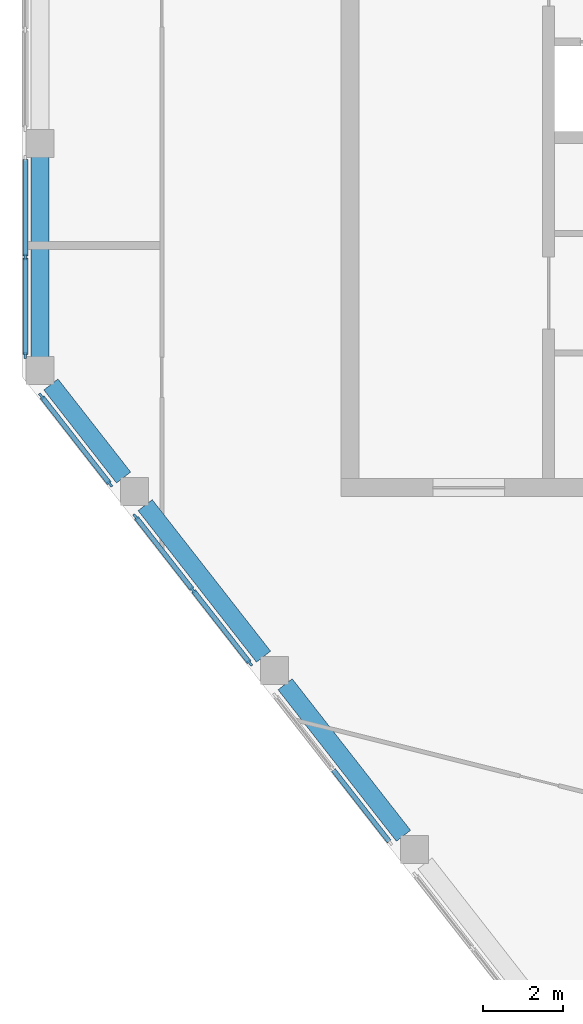
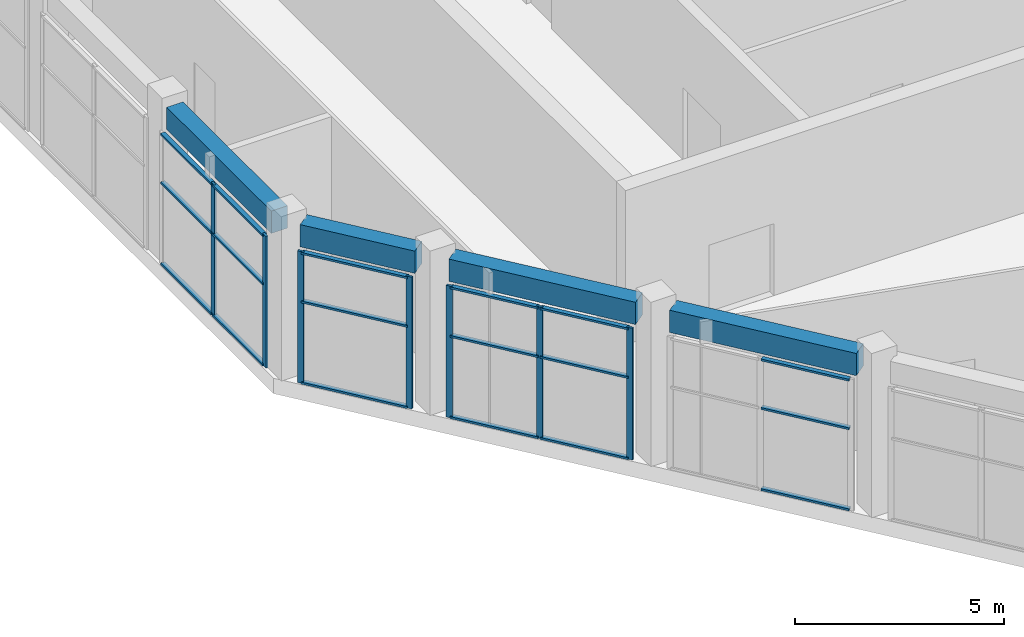
# One storey, part 3 of 10: 25 members, 4 beams, 4 elements without a shape of their own.
"""IFC4 building model written with IfcOpenShell, lengths in metres."""

from ifc_helpers import new_model, si_unit, direction, frame, origin, origin_2d, place, context, subcontext, project, spatial, rectangle, extrude, material, material_profile, profile_set, type_object, element, aggregate, save


model = new_model("IFC4")

# Units and contexts
model_context = context("Model", 3, precision=1e-05, world=origin(), true_north=direction((0.0, 1.0)))
body_context = subcontext(model_context, "Body", "Model", "MODEL_VIEW")
ifc_project = project(units=[si_unit("LENGTHUNIT", "METRE"), si_unit("AREAUNIT", "SQUARE_METRE"), si_unit("VOLUMEUNIT", "CUBIC_METRE"), si_unit("PLANEANGLEUNIT", "RADIAN"), si_unit("MASSUNIT", "GRAM", prefix="KILO")], contexts=[model_context])

# Site, building, storey
site_placement = place(None, origin())
site = spatial("IfcSite", under=ifc_project, at=site_placement, CompositionType="ELEMENT")
building_placement = place(site_placement, origin())
building = spatial("IfcBuilding", under=site, at=building_placement, Name="Meshkara Civic Tower", CompositionType="ELEMENT")
storey_placement = place(building_placement, frame((0.0, 0.0, 419.39990234375)))
storey = spatial("IfcBuildingStorey", under=building, at=storey_placement, Name="L96 Crown", CompositionType="ELEMENT", Elevation=419.39990234375)

# Curtain wall, members
ifc_material_1 = material(Name="Tinted double glazing", Category="glass")
curtain_wall_type = type_object("IfcCurtainWallType", Name="CW CROWN LANTERN", PredefinedType="NOTDEFINED", material=ifc_material_1)
curtain_wall_1_placement = place(storey_placement, origin())
curtain_wall_1 = element("IfcCurtainWall", 1, at=curtain_wall_1_placement, inside=storey, type_object=curtain_wall_type, Name="Curtain wall CW3", PredefinedType="NOTDEFINED")
ifc_material_2 = material(Name="Bronze anodised aluminium", Category="aluminium")
ifc_material_profile_1 = material_profile(ifc_material_2, rectangle(XDim=0.06005859375, YDim=0.159912109375, at=origin_2d()))
ifc_profile_set_1 = profile_set([ifc_material_profile_1], Name="Bronze anodised aluminium")
member_type_1 = type_object("IfcMemberType", Name="CW MULLION 60x160", PredefinedType="MULLION", material=ifc_profile_set_1)
member_1_placement = place(storey_placement, frame((0.080078125, 20.10498046875, 0.0), z_axis=(0.0, 0.0, 1.0), x_axis=(1.0, 0.0, 0.0)))
member_1 = element("IfcMember", 2, at=member_1_placement, type_object=member_type_1, Name="CW3 mullion 2", PredefinedType="MULLION", context=body_context, shape_type="SweptSolid", body=[
    extrude(rectangle(XDim=0.06005859375, YDim=0.159912109375, at=origin_2d()), origin(), (0.0, 0.0, 1.0), 3.85009765625),
])
member_2_placement = place(storey_placement, frame((0.080078125, 17.635009765625, 0.0), z_axis=(0.0, 0.0, 1.0), x_axis=(1.0, 0.0, 0.0)))
member_2 = element("IfcMember", 3, at=member_2_placement, type_object=member_type_1, Name="CW3 mullion 3", PredefinedType="MULLION", context=body_context, shape_type="SweptSolid", body=[
    extrude(rectangle(XDim=0.06005859375, YDim=0.159912109375, at=origin_2d()), origin(), (0.0, 0.0, 1.0), 3.85009765625),
])

curtain_wall_2_placement = place(storey_placement, origin())
curtain_wall_2 = element("IfcCurtainWall", 4, at=curtain_wall_2_placement, inside=storey, type_object=curtain_wall_type, Name="Curtain wall CW3", PredefinedType="NOTDEFINED")
member_3_placement = place(storey_placement, frame((0.4794921875, 16.616455078125, 0.0), z_axis=(0.0, 0.0, 1.0), x_axis=(0.78808803542, 0.615562546316, 0.0)))
member_3 = element("IfcMember", 5, at=member_3_placement, type_object=member_type_1, Name="CW3 mullion 1", PredefinedType="MULLION", context=body_context, shape_type="SweptSolid", body=[
    extrude(rectangle(XDim=0.06005859375, YDim=0.159912109375, at=origin_2d()), origin(), (0.0, 0.0, 1.0), 3.85009765625),
])
member_4_placement = place(storey_placement, frame((2.201416015625, 14.41162109375, 0.0), z_axis=(0.0, 0.0, 1.0), x_axis=(0.78808803542, 0.615562546316, 0.0)))
member_4 = element("IfcMember", 6, at=member_4_placement, type_object=member_type_1, Name="CW3 mullion 2", PredefinedType="MULLION", context=body_context, shape_type="SweptSolid", body=[
    extrude(rectangle(XDim=0.06005859375, YDim=0.159912109375, at=origin_2d()), origin(), (0.0, 0.0, 1.0), 3.85009765625),
])

curtain_wall_3_placement = place(storey_placement, origin())
curtain_wall_3 = element("IfcCurtainWall", 7, at=curtain_wall_3_placement, inside=storey, type_object=curtain_wall_type, Name="Curtain wall CW3", PredefinedType="NOTDEFINED")
member_5_placement = place(storey_placement, frame((2.843505859375, 13.59033203125, 0.0), z_axis=(0.0, 0.0, 1.0), x_axis=(0.788014731293, 0.615656384086, 0.0)))
member_5 = element("IfcMember", 8, at=member_5_placement, type_object=member_type_1, Name="CW3 mullion 1", PredefinedType="MULLION", context=body_context, shape_type="SweptSolid", body=[
    extrude(rectangle(XDim=0.06005859375, YDim=0.159912109375, at=origin_2d()), origin(), (0.0, 0.0, 1.0), 3.85009765625),
])
member_6_placement = place(storey_placement, frame((4.277099609375, 11.755615234375, 0.0), z_axis=(0.0, 0.0, 1.0), x_axis=(0.788014731293, 0.615656384086, 0.0)))
member_6 = element("IfcMember", 9, at=member_6_placement, type_object=member_type_1, Name="CW3 mullion 2", PredefinedType="MULLION", context=body_context, shape_type="SweptSolid", body=[
    extrude(rectangle(XDim=0.06005859375, YDim=0.159912109375, at=origin_2d()), origin(), (0.0, 0.0, 1.0), 3.85009765625),
])
member_7_placement = place(storey_placement, frame((5.71044921875, 9.920654296875, 0.0), z_axis=(0.0, 0.0, 1.0), x_axis=(0.788014731293, 0.615656384086, 0.0)))
member_7 = element("IfcMember", 10, at=member_7_placement, type_object=member_type_1, Name="CW3 mullion 3", PredefinedType="MULLION", context=body_context, shape_type="SweptSolid", body=[
    extrude(rectangle(XDim=0.06005859375, YDim=0.159912109375, at=origin_2d()), origin(), (0.0, 0.0, 1.0), 3.85009765625),
])

# Member
ifc_material_3 = material(Name="Bronze anodised aluminium", Category="aluminium")
ifc_material_profile_2 = material_profile(ifc_material_3, rectangle(XDim=0.1201171875, YDim=0.06005859375, at=origin_2d()))
ifc_profile_set_2 = profile_set([ifc_material_profile_2], Name="Bronze anodised aluminium")
member_type_2 = type_object("IfcMemberType", Name="CW TRANSOM 60x120", PredefinedType="USERDEFINED", material=ifc_profile_set_2)
member_8_placement = place(storey_placement, frame((0.080078125, 22.544921875, 0.030029296875), z_axis=(0.0, -1.0, 0.0), x_axis=(1.0, 0.0, 0.0)))
member_8 = element("IfcMember", 11, at=member_8_placement, type_object=member_type_2, Name="CW3 transom 1.1", ObjectType="TRANSOM", PredefinedType="USERDEFINED", context=body_context, shape_type="SweptSolid", body=[
    extrude(rectangle(XDim=0.1201171875, YDim=0.06005859375, at=origin_2d()), origin(), (0.0, 0.0, 1.0), 2.409912109375),
])

member_9_placement = place(storey_placement, frame((0.080078125, 22.544921875, 2.400146484375), z_axis=(0.0, -1.0, 0.0), x_axis=(1.0, 0.0, 0.0)))
member_9 = element("IfcMember", 12, at=member_9_placement, type_object=member_type_2, Name="CW3 transom 1.2", ObjectType="TRANSOM", PredefinedType="USERDEFINED", context=body_context, shape_type="SweptSolid", body=[
    extrude(rectangle(XDim=0.1201171875, YDim=0.06005859375, at=origin_2d()), origin(), (0.0, 0.0, 1.0), 2.409912109375),
])

member_10_placement = place(storey_placement, frame((0.080078125, 22.544921875, 3.820068359375), z_axis=(0.0, -1.0, 0.0), x_axis=(1.0, 0.0, 0.0)))
member_10 = element("IfcMember", 13, at=member_10_placement, type_object=member_type_2, Name="CW3 transom 1.3", ObjectType="TRANSOM", PredefinedType="USERDEFINED", context=body_context, shape_type="SweptSolid", body=[
    extrude(rectangle(XDim=0.1201171875, YDim=0.06005859375, at=origin_2d()), origin(), (0.0, 0.0, 1.0), 2.409912109375),
])

member_11_placement = place(storey_placement, frame((0.080078125, 20.074951171875, 0.030029296875), z_axis=(0.0, -1.0, 0.0), x_axis=(1.0, 0.0, 0.0)))
member_11 = element("IfcMember", 14, at=member_11_placement, type_object=member_type_2, Name="CW3 transom 2.1", ObjectType="TRANSOM", PredefinedType="USERDEFINED", context=body_context, shape_type="SweptSolid", body=[
    extrude(rectangle(XDim=0.1201171875, YDim=0.06005859375, at=origin_2d()), origin(), (0.0, 0.0, 1.0), 2.409912109375),
])

member_12_placement = place(storey_placement, frame((0.080078125, 20.074951171875, 2.400146484375), z_axis=(0.0, -1.0, 0.0), x_axis=(1.0, 0.0, 0.0)))
member_12 = element("IfcMember", 15, at=member_12_placement, type_object=member_type_2, Name="CW3 transom 2.2", ObjectType="TRANSOM", PredefinedType="USERDEFINED", context=body_context, shape_type="SweptSolid", body=[
    extrude(rectangle(XDim=0.1201171875, YDim=0.06005859375, at=origin_2d()), origin(), (0.0, 0.0, 1.0), 2.409912109375),
])

member_13_placement = place(storey_placement, frame((0.080078125, 20.074951171875, 3.820068359375), z_axis=(0.0, -1.0, 0.0), x_axis=(1.0, 0.0, 0.0)))
member_13 = element("IfcMember", 16, at=member_13_placement, type_object=member_type_2, Name="CW3 transom 2.3", ObjectType="TRANSOM", PredefinedType="USERDEFINED", context=body_context, shape_type="SweptSolid", body=[
    extrude(rectangle(XDim=0.1201171875, YDim=0.06005859375, at=origin_2d()), origin(), (0.0, 0.0, 1.0), 2.409912109375),
])

aggregate(curtain_wall_1, [member_1, member_2, member_8, member_9, member_10, member_11, member_12, member_13])

member_14_placement = place(storey_placement, frame((0.498046875, 16.5927734375, 0.030029296875), z_axis=(0.61553846672, -0.788106843003, 0.0), x_axis=(0.788106843003, 0.61553846672, 0.0)))
member_14 = element("IfcMember", 17, at=member_14_placement, type_object=member_type_2, Name="CW3 transom 1.1", ObjectType="TRANSOM", PredefinedType="USERDEFINED", context=body_context, shape_type="SweptSolid", body=[
    extrude(rectangle(XDim=0.1201171875, YDim=0.06005859375, at=origin_2d()), origin(), (0.0, 0.0, 1.0), 2.737548828125),
])

member_15_placement = place(storey_placement, frame((0.498046875, 16.5927734375, 2.400146484375), z_axis=(0.61553846672, -0.788106843003, 0.0), x_axis=(0.788106843003, 0.61553846672, 0.0)))
member_15 = element("IfcMember", 18, at=member_15_placement, type_object=member_type_2, Name="CW3 transom 1.2", ObjectType="TRANSOM", PredefinedType="USERDEFINED", context=body_context, shape_type="SweptSolid", body=[
    extrude(rectangle(XDim=0.1201171875, YDim=0.06005859375, at=origin_2d()), origin(), (0.0, 0.0, 1.0), 2.737548828125),
])

member_16_placement = place(storey_placement, frame((0.498046875, 16.5927734375, 3.820068359375), z_axis=(0.61553846672, -0.788106843003, 0.0), x_axis=(0.788106843003, 0.61553846672, 0.0)))
member_16 = element("IfcMember", 19, at=member_16_placement, type_object=member_type_2, Name="CW3 transom 1.3", ObjectType="TRANSOM", PredefinedType="USERDEFINED", context=body_context, shape_type="SweptSolid", body=[
    extrude(rectangle(XDim=0.1201171875, YDim=0.06005859375, at=origin_2d()), origin(), (0.0, 0.0, 1.0), 2.737548828125),
])

aggregate(curtain_wall_2, [member_3, member_4, member_14, member_15, member_16])

member_17_placement = place(storey_placement, frame((2.862060546875, 13.566650390625, 0.030029296875), z_axis=(0.615623156094, -0.788040690371, 0.0), x_axis=(0.788040690371, 0.615623156094, 0.0)))
member_17 = element("IfcMember", 20, at=member_17_placement, type_object=member_type_2, Name="CW3 transom 1.1", ObjectType="TRANSOM", PredefinedType="USERDEFINED", context=body_context, shape_type="SweptSolid", body=[
    extrude(rectangle(XDim=0.1201171875, YDim=0.06005859375, at=origin_2d()), origin(), (0.0, 0.0, 1.0), 2.268310546875),
])

member_18_placement = place(storey_placement, frame((2.862060546875, 13.566650390625, 2.400146484375), z_axis=(0.615623156094, -0.788040690371, 0.0), x_axis=(0.788040690371, 0.615623156094, 0.0)))
member_18 = element("IfcMember", 21, at=member_18_placement, type_object=member_type_2, Name="CW3 transom 1.2", ObjectType="TRANSOM", PredefinedType="USERDEFINED", context=body_context, shape_type="SweptSolid", body=[
    extrude(rectangle(XDim=0.1201171875, YDim=0.06005859375, at=origin_2d()), origin(), (0.0, 0.0, 1.0), 2.268310546875),
])

member_19_placement = place(storey_placement, frame((2.862060546875, 13.566650390625, 3.820068359375), z_axis=(0.615623156094, -0.788040690371, 0.0), x_axis=(0.788040690371, 0.615623156094, 0.0)))
member_19 = element("IfcMember", 22, at=member_19_placement, type_object=member_type_2, Name="CW3 transom 1.3", ObjectType="TRANSOM", PredefinedType="USERDEFINED", context=body_context, shape_type="SweptSolid", body=[
    extrude(rectangle(XDim=0.1201171875, YDim=0.06005859375, at=origin_2d()), origin(), (0.0, 0.0, 1.0), 2.268310546875),
])

member_20_placement = place(storey_placement, frame((4.29541015625, 11.73193359375, 0.030029296875), z_axis=(0.615689986337, -0.787988477532, 0.0), x_axis=(0.787988477532, 0.615689986337, 0.0)))
member_20 = element("IfcMember", 23, at=member_20_placement, type_object=member_type_2, Name="CW3 transom 2.1", ObjectType="TRANSOM", PredefinedType="USERDEFINED", context=body_context, shape_type="SweptSolid", body=[
    extrude(rectangle(XDim=0.1201171875, YDim=0.06005859375, at=origin_2d()), origin(), (0.0, 0.0, 1.0), 2.2685546875),
])

member_21_placement = place(storey_placement, frame((4.29541015625, 11.73193359375, 2.400146484375), z_axis=(0.615689986337, -0.787988477532, 0.0), x_axis=(0.787988477532, 0.615689986337, 0.0)))
member_21 = element("IfcMember", 24, at=member_21_placement, type_object=member_type_2, Name="CW3 transom 2.2", ObjectType="TRANSOM", PredefinedType="USERDEFINED", context=body_context, shape_type="SweptSolid", body=[
    extrude(rectangle(XDim=0.1201171875, YDim=0.06005859375, at=origin_2d()), origin(), (0.0, 0.0, 1.0), 2.2685546875),
])

member_22_placement = place(storey_placement, frame((4.29541015625, 11.73193359375, 3.820068359375), z_axis=(0.615689986337, -0.787988477532, 0.0), x_axis=(0.787988477532, 0.615689986337, 0.0)))
member_22 = element("IfcMember", 25, at=member_22_placement, type_object=member_type_2, Name="CW3 transom 2.3", ObjectType="TRANSOM", PredefinedType="USERDEFINED", context=body_context, shape_type="SweptSolid", body=[
    extrude(rectangle(XDim=0.1201171875, YDim=0.06005859375, at=origin_2d()), origin(), (0.0, 0.0, 1.0), 2.2685546875),
])

aggregate(curtain_wall_3, [member_5, member_6, member_7, member_17, member_18, member_19, member_20, member_21, member_22])

# Curtain wall, members
curtain_wall_4_placement = place(storey_placement, origin())
curtain_wall_4 = element("IfcCurtainWall", 26, at=curtain_wall_4_placement, inside=storey, type_object=curtain_wall_type, Name="Curtain wall CW3", PredefinedType="NOTDEFINED")
member_23_placement = place(storey_placement, frame((7.804931640625, 7.2392578125, 0.030029296875), z_axis=(0.615719199865, -0.787965650849, 0.0), x_axis=(0.787965650849, 0.615719199865, 0.0)))
member_23 = element("IfcMember", 27, at=member_23_placement, type_object=member_type_2, Name="CW3 transom 2.1", ObjectType="TRANSOM", PredefinedType="USERDEFINED", context=body_context, shape_type="SweptSolid", body=[
    extrude(rectangle(XDim=0.1201171875, YDim=0.06005859375, at=origin_2d()), origin(), (0.0, 0.0, 1.0), 2.269287109375),
])
member_24_placement = place(storey_placement, frame((7.804931640625, 7.2392578125, 2.400146484375), z_axis=(0.615719199865, -0.787965650849, 0.0), x_axis=(0.787965650849, 0.615719199865, 0.0)))
member_24 = element("IfcMember", 28, at=member_24_placement, type_object=member_type_2, Name="CW3 transom 2.2", ObjectType="TRANSOM", PredefinedType="USERDEFINED", context=body_context, shape_type="SweptSolid", body=[
    extrude(rectangle(XDim=0.1201171875, YDim=0.06005859375, at=origin_2d()), origin(), (0.0, 0.0, 1.0), 2.269287109375),
])
member_25_placement = place(storey_placement, frame((7.804931640625, 7.2392578125, 3.820068359375), z_axis=(0.615719199865, -0.787965650849, 0.0), x_axis=(0.787965650849, 0.615719199865, 0.0)))
member_25 = element("IfcMember", 29, at=member_25_placement, type_object=member_type_2, Name="CW3 transom 2.3", ObjectType="TRANSOM", PredefinedType="USERDEFINED", context=body_context, shape_type="SweptSolid", body=[
    extrude(rectangle(XDim=0.1201171875, YDim=0.06005859375, at=origin_2d()), origin(), (0.0, 0.0, 1.0), 2.269287109375),
])
aggregate(curtain_wall_4, [member_23, member_24, member_25])

# Beams
ifc_material_4 = material(Name="Concrete C50", Category="concrete")
ifc_material_profile_3 = material_profile(ifc_material_4, rectangle(XDim=0.449951171875, YDim=0.64990234375, at=origin_2d()))
ifc_profile_set_3 = profile_set([ifc_material_profile_3], Name="Concrete C50")
beam_type = type_object("IfcBeamType", Name="Spandrel beam RC 450x650 C50", PredefinedType="BEAM", material=ifc_profile_set_3)
beam_1_placement = place(storey_placement, frame((0.449951171875, 22.610107421875, 4.175048828125), z_axis=(0.0, -1.0, 0.0), x_axis=(1.0, 0.0, 0.0)))
element("IfcBeam", 30, at=beam_1_placement, inside=storey, type_object=beam_type, Name="Spandrel beam AW00-AW01", PredefinedType="BEAM", context=body_context, shape_type="SweptSolid", body=[
    extrude(rectangle(XDim=0.449951171875, YDim=0.64990234375, at=origin_2d()), origin(), (0.0, 0.0, 1.0), 5.010009765625),
])
beam_2_placement = place(storey_placement, frame((0.720458984375, 16.908935546875, 4.175048828125), z_axis=(0.615645641735, -0.788023123908, 0.0), x_axis=(0.788023123908, 0.615645641735, 0.0)))
element("IfcBeam", 31, at=beam_2_placement, inside=storey, type_object=beam_type, Name="Spandrel beam AW00-BOW04", PredefinedType="BEAM", context=body_context, shape_type="SweptSolid", body=[
    extrude(rectangle(XDim=0.449951171875, YDim=0.64990234375, at=origin_2d()), origin(), (0.0, 0.0, 1.0), 2.96142578125),
])
beam_3_placement = place(storey_placement, frame((3.084228515625, 13.8828125, 4.175048828125), z_axis=(0.615632251353, -0.788033585004, 0.0), x_axis=(0.788033585004, 0.615632251353, 0.0)))
element("IfcBeam", 32, at=beam_3_placement, inside=storey, type_object=beam_type, Name="Spandrel beam BOW03-BOW04", PredefinedType="BEAM", context=body_context, shape_type="SweptSolid", body=[
    extrude(rectangle(XDim=0.449951171875, YDim=0.64990234375, at=origin_2d()), origin(), (0.0, 0.0, 1.0), 4.82177734375),
])
beam_4_placement = place(storey_placement, frame((6.593505859375, 9.390869140625, 4.175048828125), z_axis=(0.615695129878, -0.787984458632, 0.0), x_axis=(0.787984458632, 0.615695129878, 0.0)))
element("IfcBeam", 33, at=beam_4_placement, inside=storey, type_object=beam_type, Name="Spandrel beam BOW02-BOW03", PredefinedType="BEAM", context=body_context, shape_type="SweptSolid", body=[
    extrude(rectangle(XDim=0.449951171875, YDim=0.64990234375, at=origin_2d()), origin(), (0.0, 0.0, 1.0), 4.822265625),
])

save(model, "model.ifc")
